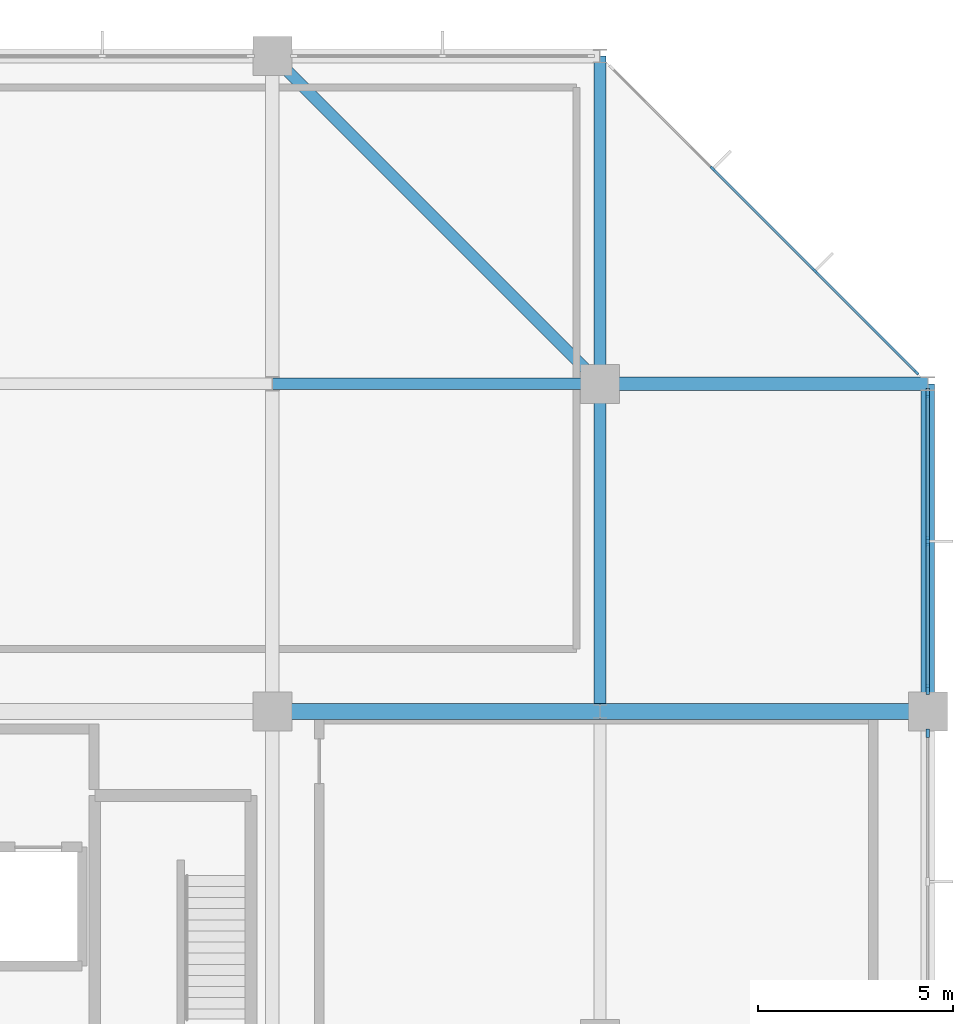
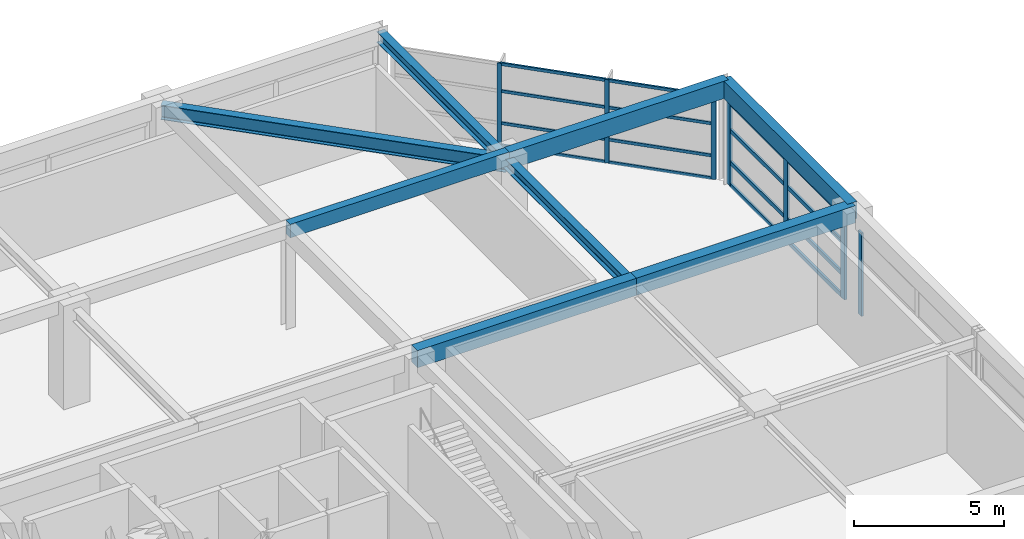
# One storey, part 23 of 32: 23 members, 8 beams, 3 elements without a shape of their own.
"""IFC4 building model written with IfcOpenShell, lengths in metres."""

import ifcopenshell
import ifcopenshell.guid

model = None  # the IFC model being written
_history = None  # IfcOwnerHistory: only IFC2X3 demands one
_inside = {}  # id of a spatial element -> (the spatial element, [elements in it])
_under = {}  # id of a project, library or spatial element -> (it, [spatial elements below it])
_declared = {}  # id of a project -> (the project, [libraries it declares])
_typed = {}  # id of a type object -> (the type object, [elements of that type])
_made_of = {}  # id of a material, layer set ... -> (it, [elements and type objects made of it])


def new_model(schema):
    """Start an empty IFC model of exactly this schema.

    Asked for "IFC4X3", IfcOpenShell would pick the latest addendum, in which some entities
    have other attributes; the version numbers below select the first issue.
    IFC2X3 requires an IfcOwnerHistory on every rooted entity: one is made here for all.
    """
    global model, _history
    if schema == "IFC4X3":
        model = ifcopenshell.file(schema_version=(4, 3, 0, 0))
    else:
        model = ifcopenshell.file(schema=schema)
    _inside.clear()
    _under.clear()
    _declared.clear()
    _typed.clear()
    _made_of.clear()
    _history = None
    if model.schema == "IFC2X3":
        org = make("IfcOrganization", Name="unknown")
        user = make(
            "IfcPersonAndOrganization",
            ThePerson=make("IfcPerson", FamilyName="unknown"),
            TheOrganization=org,
        )
        app = make(
            "IfcApplication",
            ApplicationDeveloper=org,
            Version="unknown",
            ApplicationFullName="unknown",
            ApplicationIdentifier="unknown",
        )
        _history = make(
            "IfcOwnerHistory",
            OwningUser=user,
            OwningApplication=app,
            ChangeAction="ADDED",
            CreationDate=0,
        )
    return model


def make(cls, **values):
    """One entity of the class cls with the attributes given. An attribute that is None is left unset."""
    return model.create_entity(
        cls, **{name: value for name, value in values.items() if value is not None}
    )


def rooted(cls, **values):
    """An entity with a GlobalId (a new one), such as an element, a storey or a relation."""
    return make(cls, GlobalId=ifcopenshell.guid.new(), OwnerHistory=_history, **values)


def si_unit(unit_type, name, prefix=None):
    """IfcSIUnit, for example si_unit("LENGTHUNIT", "METRE", prefix="MILLI")."""
    return make("IfcSIUnit", UnitType=unit_type, Prefix=prefix, Name=name)


def assignment(units):
    """IfcUnitAssignment: the units of a project."""
    return None if units is None else make("IfcUnitAssignment", Units=units)


def point(xyz):
    """IfcCartesianPoint."""
    return None if xyz is None else make("IfcCartesianPoint", Coordinates=xyz)


def direction(xyz):
    """IfcDirection."""
    return None if xyz is None else make("IfcDirection", DirectionRatios=xyz)


def frame(location, z_axis=None, x_axis=None):
    """IfcAxis2Placement3D, a coordinate frame: its origin and axes. An axis left out is left unset."""
    return make(
        "IfcAxis2Placement3D",
        Location=point(location),
        Axis=direction(z_axis),
        RefDirection=direction(x_axis),
    )


def frame_2d(location, x_axis=None):
    """IfcAxis2Placement2D, a coordinate frame in the plane: its origin and x axis."""
    return make(
        "IfcAxis2Placement2D", Location=point(location), RefDirection=direction(x_axis)
    )


def origin():
    """The frame at (0, 0, 0) with its axes left unset."""
    return frame((0.0, 0.0, 0.0))


def origin_2d():
    """The frame at (0, 0) in the plane with its x axis left unset."""
    return frame_2d((0.0, 0.0))


def place(relative_to, where):
    """IfcLocalPlacement: puts the frame where relative to a parent placement (None: the world)."""
    return make(
        "IfcLocalPlacement", PlacementRelTo=relative_to, RelativePlacement=where
    )


def context(
    kind, dimensions, precision=None, world=None, true_north=None, identifier=None
):
    """IfcGeometricRepresentationContext, for example the 3D "Model" context."""
    return make(
        "IfcGeometricRepresentationContext",
        ContextIdentifier=identifier,
        ContextType=kind,
        CoordinateSpaceDimension=dimensions,
        Precision=precision,
        WorldCoordinateSystem=world,
        TrueNorth=true_north,
    )


def subcontext(parent, identifier, kind, view, scale=None):
    """IfcGeometricRepresentationSubContext, for example "Body" below "Model"."""
    return make(
        "IfcGeometricRepresentationSubContext",
        ContextIdentifier=identifier,
        ContextType=kind,
        ParentContext=parent,
        TargetScale=scale,
        TargetView=view,
    )


def project(units=None, contexts=None):
    """IfcProject with its units and contexts."""
    return rooted(
        "IfcProject",
        Name="project",
        RepresentationContexts=contexts,
        UnitsInContext=assignment(units),
    )


def spatial(cls, under=None, at=None, **own):
    """A site, building, storey or space (cls), placed at a placement, below another one or the project."""
    s = rooted(cls, ObjectPlacement=at, **own)
    if under is not None:
        _under.setdefault(under.id(), (under, []))[1].append(s)
    return s


def profile(cls, at=None, kind="AREA", **sizes):
    """A parametric profile (cls). Its sizes go by their IFC names, for example OverallWidth=200.0."""
    return make(cls, ProfileType=kind, Position=at, **sizes)


def rectangle(**sizes):
    """IfcRectangleProfileDef."""
    return profile("IfcRectangleProfileDef", **sizes)


def i_section(**sizes):
    """IfcIShapeProfileDef."""
    return profile("IfcIShapeProfileDef", **sizes)


def extrude(swept, where, along, depth):
    """IfcExtrudedAreaSolid: the profile swept, set in the frame where, extruded along a direction by depth."""
    return make(
        "IfcExtrudedAreaSolid",
        SweptArea=swept,
        Position=where,
        ExtrudedDirection=direction(along),
        Depth=depth,
    )


def shape(context_of_items, identifier, shape_type, items):
    """IfcShapeRepresentation: the items that make up one representation, for example the "Body"."""
    return make(
        "IfcShapeRepresentation",
        ContextOfItems=context_of_items,
        RepresentationIdentifier=identifier,
        RepresentationType=shape_type,
        Items=items,
    )


def material(Name=None, Category=None):
    """IfcMaterial."""
    return make("IfcMaterial", Name=Name, Category=Category)


def material_profile(
    of_material, cross_section, Name=None, Category=None, Priority=None
):
    """IfcMaterialProfile: a cross section and its material."""
    return make(
        "IfcMaterialProfile",
        Name=Name,
        Material=of_material,
        Profile=cross_section,
        Priority=Priority,
        Category=Category,
    )


def profile_set(profiles, Name=None, composite=None):
    """IfcMaterialProfileSet."""
    return make(
        "IfcMaterialProfileSet",
        Name=Name,
        MaterialProfiles=profiles,
        CompositeProfile=composite,
    )


def made_of(thing, what):
    """Note that an element or type object is made of a material, layer set ...; save() writes the relation."""
    if what is not None:
        _made_of.setdefault(what.id(), (what, []))[1].append(thing)
    return thing


def type_object(cls, material=None, **own):
    """A type object (cls), such as IfcWallType, which elements share."""
    return made_of(rooted(cls, **own), material)


def element(
    cls,
    number,
    at=None,
    inside=None,
    cuts=None,
    type_object=None,
    material=None,
    context=None,
    identifier="Body",
    shape_type=None,
    held_by="IfcProductDefinitionShape",
    body=None,
    shapes=None,
    **own,
):
    """One element of the class cls, such as IfcWall. Its Tag is "e" and its number.

    at: its placement. inside: the storey or other place that contains it. cuts: it is an
    opening in that element (IfcRelVoidsElement). A single representation is given by context,
    identifier, shape_type and body (its items); several are given by shapes. held_by: the class
    of the entity that holds the representations. save() writes the other relations.
    """
    e = rooted(cls, Tag="e%d" % number, ObjectPlacement=at, **own)
    if body is not None:
        shapes = [shape(context, identifier, shape_type, body)]
    if shapes is not None:
        e.Representation = make(held_by, Representations=shapes)
    if inside is not None:
        _inside.setdefault(inside.id(), (inside, []))[1].append(e)
    if cuts is not None:
        rooted(
            "IfcRelVoidsElement", RelatingBuildingElement=cuts, RelatedOpeningElement=e
        )
    if type_object is not None:
        _typed.setdefault(type_object.id(), (type_object, []))[1].append(e)
    return made_of(e, material)


def aggregate(whole, parts):
    """IfcRelAggregates: a whole, such as a stair, and the parts it consists of."""
    return rooted("IfcRelAggregates", RelatingObject=whole, RelatedObjects=parts)


def save(model, path):
    """Write the relations noted so far, then the file.

    IfcRelAggregates (storeys below a building ...), IfcRelContainedInSpatialStructure (elements
    in a storey), IfcRelDefinesByType, IfcRelAssociatesMaterial and IfcRelDeclares: one each for
    every whole, place, type object, material and project.
    """
    for whole, parts in _under.values():
        aggregate(whole, parts)
    for where, things in _inside.values():
        rooted(
            "IfcRelContainedInSpatialStructure",
            RelatedElements=things,
            RelatingStructure=where,
        )
    for kind, things in _typed.values():
        rooted("IfcRelDefinesByType", RelatedObjects=things, RelatingType=kind)
    for what, things in _made_of.values():
        rooted("IfcRelAssociatesMaterial", RelatedObjects=things, RelatingMaterial=what)
    for by, libraries in _declared.values():
        rooted("IfcRelDeclares", RelatingContext=by, RelatedDefinitions=libraries)
    model.write(path)


model = new_model("IFC4")

# Units and contexts
model_context = context("Model", 3, precision=1e-05, world=origin(), true_north=direction((0.0, 1.0)))
body_context = subcontext(model_context, "Body", "Model", "MODEL_VIEW")
ifc_project = project(units=[si_unit("LENGTHUNIT", "METRE"), si_unit("AREAUNIT", "SQUARE_METRE"), si_unit("VOLUMEUNIT", "CUBIC_METRE"), si_unit("PLANEANGLEUNIT", "RADIAN"), si_unit("MASSUNIT", "GRAM", prefix="KILO")], contexts=[model_context])

# Site, building, storey
site_placement = place(None, origin())
site = spatial("IfcSite", under=ifc_project, at=site_placement, CompositionType="ELEMENT")
building_placement = place(site_placement, origin())
building = spatial("IfcBuilding", under=site, at=building_placement, Name="Xuanlan Plaza Opera House", CompositionType="ELEMENT")
storey_placement = place(building_placement, frame((0.0, 0.0, 40.5)))
storey = spatial("IfcBuildingStorey", under=building, at=storey_placement, Name="L09", CompositionType="ELEMENT", Elevation=40.5)

# Curtain wall, members
ifc_material_1 = material(Name="Anodised Aluminium 6063-T6 and Low-E Glass", Category="aluminium")
curtain_wall_type_1 = type_object("IfcCurtainWallType", Name="ENV-CW-CW-01", PredefinedType="USERDEFINED", material=ifc_material_1)
curtain_wall_1_placement = place(storey_placement, origin())
curtain_wall_1 = element("IfcCurtainWall", 1, at=curtain_wall_1_placement, inside=storey, type_object=curtain_wall_type_1, Name="Unitised Curtain Wall L09-010", ObjectType="UNITISED CURTAIN WALL", PredefinedType="USERDEFINED")
ifc_material_2 = material(Name="Anodised Aluminium 6063-T6", Category="aluminium")
ifc_material_profile_1 = material_profile(ifc_material_2, rectangle(XDim=0.06494140625, YDim=0.159912109375, at=origin_2d()), Name="ALU-M 65x160")
ifc_profile_set_1 = profile_set([ifc_material_profile_1], Name="Anodised Aluminium 6063-T6")
member_type_1 = type_object("IfcMemberType", Name="ENV-CWM-01", PredefinedType="MULLION", material=ifc_profile_set_1)
member_1_placement = place(storey_placement, frame((167.703125, 75.89697265625, 0.0), z_axis=(0.0, 0.0, 1.0), x_axis=(-0.707106781187, -0.707106781187, 0.0)))
member_1 = element("IfcMember", 2, at=member_1_placement, type_object=member_type_1, Name="CW-01 mullion 1", PredefinedType="MULLION", context=body_context, shape_type="SweptSolid", body=[
    extrude(rectangle(XDim=0.06494140625, YDim=0.159912109375, at=origin_2d()), origin(), (0.0, 0.0, 1.0), 3.3798828125),
])
member_2_placement = place(storey_placement, frame((165.108642578125, 78.491455078125, 0.0), z_axis=(0.0, 0.0, 1.0), x_axis=(-0.707106781187, -0.707106781187, 0.0)))
member_2 = element("IfcMember", 3, at=member_2_placement, type_object=member_type_1, Name="CW-01 mullion 2", PredefinedType="MULLION", context=body_context, shape_type="SweptSolid", body=[
    extrude(rectangle(XDim=0.06494140625, YDim=0.159912109375, at=origin_2d()), origin(), (0.0, 0.0, 1.0), 3.3798828125),
])
member_3_placement = place(storey_placement, frame((162.491455078125, 81.108642578125, 0.0), z_axis=(0.0, 0.0, 1.0), x_axis=(-0.707106781187, -0.707106781187, 0.0)))
member_3 = element("IfcMember", 4, at=member_3_placement, type_object=member_type_1, Name="CW-01 mullion 3", PredefinedType="MULLION", context=body_context, shape_type="SweptSolid", body=[
    extrude(rectangle(XDim=0.06494140625, YDim=0.159912109375, at=origin_2d()), origin(), (0.0, 0.0, 1.0), 3.3798828125),
])

# Curtain wall, member
curtain_wall_type_2 = type_object("IfcCurtainWallType", Name="ENV-CW-CW-03", PredefinedType="USERDEFINED", material=ifc_material_1)
curtain_wall_2_placement = place(storey_placement, origin())
curtain_wall_2 = element("IfcCurtainWall", 5, at=curtain_wall_2_placement, inside=storey, type_object=curtain_wall_type_2, Name="Unitised Curtain Wall L09-008", ObjectType="UNITISED CURTAIN WALL", PredefinedType="USERDEFINED")
ifc_material_profile_2 = material_profile(ifc_material_2, rectangle(XDim=0.080078125, YDim=0.219970703125, at=origin_2d()), Name="ALU-M 80x220")
ifc_profile_set_2 = profile_set([ifc_material_profile_2], Name="Anodised Aluminium 6063-T6")
member_type_2 = type_object("IfcMemberType", Name="ENV-CWM-04", PredefinedType="MULLION", material=ifc_profile_set_2)
member_4_placement = place(storey_placement, frame((168.0, 66.639892578125, 0.0), z_axis=(0.0, 0.0, 1.0), x_axis=(-1.0, 0.0, 0.0)))
member_4 = element("IfcMember", 6, at=member_4_placement, type_object=member_type_2, Name="CW-03 mullion 3", PredefinedType="MULLION", context=body_context, shape_type="SweptSolid", body=[
    extrude(rectangle(XDim=0.080078125, YDim=0.219970703125, at=origin_2d()), origin(), (0.0, 0.0, 1.0), 3.3798828125),
])
aggregate(curtain_wall_2, [member_4])

# Curtain wall, members
curtain_wall_type_3 = type_object("IfcCurtainWallType", Name="ENV-CW-CW-04", PredefinedType="USERDEFINED", material=ifc_material_1)
curtain_wall_3_placement = place(storey_placement, origin())
curtain_wall_3 = element("IfcCurtainWall", 7, at=curtain_wall_3_placement, inside=storey, type_object=curtain_wall_type_3, Name="Unitised Curtain Wall L09-009", ObjectType="UNITISED CURTAIN WALL", PredefinedType="USERDEFINED")
ifc_material_profile_3 = material_profile(ifc_material_2, rectangle(XDim=0.090087890625, YDim=0.25, at=origin_2d()), Name="ALU-M 90x250")
ifc_profile_set_3 = profile_set([ifc_material_profile_3], Name="Anodised Aluminium 6063-T6")
member_type_3 = type_object("IfcMemberType", Name="ENV-CWM-05", PredefinedType="MULLION", material=ifc_profile_set_3)
member_5_placement = place(storey_placement, frame((168.0, 67.764892578125, 0.0), z_axis=(0.0, 0.0, 1.0), x_axis=(-1.0, 0.0, 0.0)))
member_5 = element("IfcMember", 8, at=member_5_placement, type_object=member_type_3, Name="CW-04 mullion 1", PredefinedType="MULLION", context=body_context, shape_type="SweptSolid", body=[
    extrude(rectangle(XDim=0.090087890625, YDim=0.25, at=origin_2d()), origin(), (0.0, 0.0, 1.0), 3.3798828125),
])
member_6_placement = place(storey_placement, frame((168.0, 71.5625, 0.0), z_axis=(0.0, 0.0, 1.0), x_axis=(-1.0, 0.0, 0.0)))
member_6 = element("IfcMember", 9, at=member_6_placement, type_object=member_type_3, Name="CW-04 mullion 2", PredefinedType="MULLION", context=body_context, shape_type="SweptSolid", body=[
    extrude(rectangle(XDim=0.090087890625, YDim=0.25, at=origin_2d()), origin(), (0.0, 0.0, 1.0), 3.3798828125),
])
member_7_placement = place(storey_placement, frame((168.0, 75.360107421875, 0.0), z_axis=(0.0, 0.0, 1.0), x_axis=(-1.0, 0.0, 0.0)))
member_7 = element("IfcMember", 10, at=member_7_placement, type_object=member_type_3, Name="CW-04 mullion 3", PredefinedType="MULLION", context=body_context, shape_type="SweptSolid", body=[
    extrude(rectangle(XDim=0.090087890625, YDim=0.25, at=origin_2d()), origin(), (0.0, 0.0, 1.0), 3.3798828125),
])

# Member
ifc_material_profile_4 = material_profile(ifc_material_2, rectangle(XDim=0.06494140625, YDim=0.1201171875, at=origin_2d()), Name="ALU-T 65x120")
ifc_profile_set_4 = profile_set([ifc_material_profile_4], Name="Anodised Aluminium 6063-T6")
member_type_4 = type_object("IfcMemberType", Name="ENV-CWT-01", PredefinedType="USERDEFINED", material=ifc_profile_set_4)
member_8_placement = place(storey_placement, frame((167.679931640625, 75.919921875, 0.032470703125), z_axis=(-0.707106781187, 0.707106781187, 0.0), x_axis=(-0.707106781187, -0.707106781187, 0.0)))
member_8 = element("IfcMember", 11, at=member_8_placement, type_object=member_type_4, Name="CW-01 transom 1.1", ObjectType="TRANSOM", PredefinedType="USERDEFINED", context=body_context, shape_type="SweptSolid", body=[
    extrude(rectangle(XDim=0.06494140625, YDim=0.1201171875, at=origin_2d()), origin(), (0.0, 0.0, 1.0), 3.60400390625),
])

member_9_placement = place(storey_placement, frame((167.679931640625, 75.919921875, 0.949951171875), z_axis=(-0.707106781187, 0.707106781187, 0.0), x_axis=(-0.707106781187, -0.707106781187, 0.0)))
member_9 = element("IfcMember", 12, at=member_9_placement, type_object=member_type_4, Name="CW-01 transom 1.2", ObjectType="TRANSOM", PredefinedType="USERDEFINED", context=body_context, shape_type="SweptSolid", body=[
    extrude(rectangle(XDim=0.06494140625, YDim=0.1201171875, at=origin_2d()), origin(), (0.0, 0.0, 1.0), 3.60400390625),
])

member_10_placement = place(storey_placement, frame((167.679931640625, 75.919921875, 2.25), z_axis=(-0.707106781187, 0.707106781187, 0.0), x_axis=(-0.707106781187, -0.707106781187, 0.0)))
member_10 = element("IfcMember", 13, at=member_10_placement, type_object=member_type_4, Name="CW-01 transom 1.3", ObjectType="TRANSOM", PredefinedType="USERDEFINED", context=body_context, shape_type="SweptSolid", body=[
    extrude(rectangle(XDim=0.06494140625, YDim=0.1201171875, at=origin_2d()), origin(), (0.0, 0.0, 1.0), 3.60400390625),
])

member_11_placement = place(storey_placement, frame((167.679931640625, 75.919921875, 3.347412109375), z_axis=(-0.707106781187, 0.707106781187, 0.0), x_axis=(-0.707106781187, -0.707106781187, 0.0)))
member_11 = element("IfcMember", 14, at=member_11_placement, type_object=member_type_4, Name="CW-01 transom 1.4", ObjectType="TRANSOM", PredefinedType="USERDEFINED", context=body_context, shape_type="SweptSolid", body=[
    extrude(rectangle(XDim=0.06494140625, YDim=0.1201171875, at=origin_2d()), origin(), (0.0, 0.0, 1.0), 3.60400390625),
])

member_12_placement = place(storey_placement, frame((165.085693359375, 78.514404296875, 0.032470703125), z_axis=(-0.707106781187, 0.707106781187, 0.0), x_axis=(-0.707106781187, -0.707106781187, 0.0)))
member_12 = element("IfcMember", 15, at=member_12_placement, type_object=member_type_4, Name="CW-01 transom 2.1", ObjectType="TRANSOM", PredefinedType="USERDEFINED", context=body_context, shape_type="SweptSolid", body=[
    extrude(rectangle(XDim=0.06494140625, YDim=0.1201171875, at=origin_2d()), origin(), (0.0, 0.0, 1.0), 3.63623046875),
])

member_13_placement = place(storey_placement, frame((165.085693359375, 78.514404296875, 0.949951171875), z_axis=(-0.707106781187, 0.707106781187, 0.0), x_axis=(-0.707106781187, -0.707106781187, 0.0)))
member_13 = element("IfcMember", 16, at=member_13_placement, type_object=member_type_4, Name="CW-01 transom 2.2", ObjectType="TRANSOM", PredefinedType="USERDEFINED", context=body_context, shape_type="SweptSolid", body=[
    extrude(rectangle(XDim=0.06494140625, YDim=0.1201171875, at=origin_2d()), origin(), (0.0, 0.0, 1.0), 3.63623046875),
])

member_14_placement = place(storey_placement, frame((165.085693359375, 78.514404296875, 2.25), z_axis=(-0.707106781187, 0.707106781187, 0.0), x_axis=(-0.707106781187, -0.707106781187, 0.0)))
member_14 = element("IfcMember", 17, at=member_14_placement, type_object=member_type_4, Name="CW-01 transom 2.3", ObjectType="TRANSOM", PredefinedType="USERDEFINED", context=body_context, shape_type="SweptSolid", body=[
    extrude(rectangle(XDim=0.06494140625, YDim=0.1201171875, at=origin_2d()), origin(), (0.0, 0.0, 1.0), 3.63623046875),
])

member_15_placement = place(storey_placement, frame((165.085693359375, 78.514404296875, 3.347412109375), z_axis=(-0.707106781187, 0.707106781187, 0.0), x_axis=(-0.707106781187, -0.707106781187, 0.0)))
member_15 = element("IfcMember", 18, at=member_15_placement, type_object=member_type_4, Name="CW-01 transom 2.4", ObjectType="TRANSOM", PredefinedType="USERDEFINED", context=body_context, shape_type="SweptSolid", body=[
    extrude(rectangle(XDim=0.06494140625, YDim=0.1201171875, at=origin_2d()), origin(), (0.0, 0.0, 1.0), 3.63623046875),
])

aggregate(curtain_wall_1, [member_1, member_2, member_3, member_8, member_9, member_10, member_11, member_12, member_13, member_14, member_15])

ifc_material_profile_5 = material_profile(ifc_material_2, rectangle(XDim=0.080078125, YDim=0.1650390625, at=origin_2d()), Name="ALU-T 80x165")
ifc_profile_set_5 = profile_set([ifc_material_profile_5], Name="Anodised Aluminium 6063-T6")
member_type_5 = type_object("IfcMemberType", Name="ENV-CWT-04", PredefinedType="USERDEFINED", material=ifc_profile_set_5)
member_16_placement = place(storey_placement, frame((168.0, 67.81005859375, 0.0400390625), z_axis=(0.0, 1.0, 0.0), x_axis=(-1.0, 0.0, 0.0)))
member_16 = element("IfcMember", 19, at=member_16_placement, type_object=member_type_5, Name="CW-04 transom 1.1", ObjectType="TRANSOM", PredefinedType="USERDEFINED", context=body_context, shape_type="SweptSolid", body=[
    extrude(rectangle(XDim=0.080078125, YDim=0.1650390625, at=origin_2d()), origin(), (0.0, 0.0, 1.0), 3.70751953125),
])

member_17_placement = place(storey_placement, frame((168.0, 67.81005859375, 0.949951171875), z_axis=(0.0, 1.0, 0.0), x_axis=(-1.0, 0.0, 0.0)))
member_17 = element("IfcMember", 20, at=member_17_placement, type_object=member_type_5, Name="CW-04 transom 1.2", ObjectType="TRANSOM", PredefinedType="USERDEFINED", context=body_context, shape_type="SweptSolid", body=[
    extrude(rectangle(XDim=0.080078125, YDim=0.1650390625, at=origin_2d()), origin(), (0.0, 0.0, 1.0), 3.70751953125),
])

member_18_placement = place(storey_placement, frame((168.0, 67.81005859375, 2.25), z_axis=(0.0, 1.0, 0.0), x_axis=(-1.0, 0.0, 0.0)))
member_18 = element("IfcMember", 21, at=member_18_placement, type_object=member_type_5, Name="CW-04 transom 1.3", ObjectType="TRANSOM", PredefinedType="USERDEFINED", context=body_context, shape_type="SweptSolid", body=[
    extrude(rectangle(XDim=0.080078125, YDim=0.1650390625, at=origin_2d()), origin(), (0.0, 0.0, 1.0), 3.70751953125),
])

member_19_placement = place(storey_placement, frame((168.0, 67.81005859375, 3.340087890625), z_axis=(0.0, 1.0, 0.0), x_axis=(-1.0, 0.0, 0.0)))
member_19 = element("IfcMember", 22, at=member_19_placement, type_object=member_type_5, Name="CW-04 transom 1.4", ObjectType="TRANSOM", PredefinedType="USERDEFINED", context=body_context, shape_type="SweptSolid", body=[
    extrude(rectangle(XDim=0.080078125, YDim=0.1650390625, at=origin_2d()), origin(), (0.0, 0.0, 1.0), 3.70751953125),
])

member_20_placement = place(storey_placement, frame((168.0, 71.607421875, 0.0400390625), z_axis=(0.0, 1.0, 0.0), x_axis=(-1.0, 0.0, 0.0)))
member_20 = element("IfcMember", 23, at=member_20_placement, type_object=member_type_5, Name="CW-04 transom 2.1", ObjectType="TRANSOM", PredefinedType="USERDEFINED", context=body_context, shape_type="SweptSolid", body=[
    extrude(rectangle(XDim=0.080078125, YDim=0.1650390625, at=origin_2d()), origin(), (0.0, 0.0, 1.0), 3.70751953125),
])

member_21_placement = place(storey_placement, frame((168.0, 71.607421875, 0.949951171875), z_axis=(0.0, 1.0, 0.0), x_axis=(-1.0, 0.0, 0.0)))
member_21 = element("IfcMember", 24, at=member_21_placement, type_object=member_type_5, Name="CW-04 transom 2.2", ObjectType="TRANSOM", PredefinedType="USERDEFINED", context=body_context, shape_type="SweptSolid", body=[
    extrude(rectangle(XDim=0.080078125, YDim=0.1650390625, at=origin_2d()), origin(), (0.0, 0.0, 1.0), 3.70751953125),
])

member_22_placement = place(storey_placement, frame((168.0, 71.607421875, 2.25), z_axis=(0.0, 1.0, 0.0), x_axis=(-1.0, 0.0, 0.0)))
member_22 = element("IfcMember", 25, at=member_22_placement, type_object=member_type_5, Name="CW-04 transom 2.3", ObjectType="TRANSOM", PredefinedType="USERDEFINED", context=body_context, shape_type="SweptSolid", body=[
    extrude(rectangle(XDim=0.080078125, YDim=0.1650390625, at=origin_2d()), origin(), (0.0, 0.0, 1.0), 3.70751953125),
])

member_23_placement = place(storey_placement, frame((168.0, 71.607421875, 3.340087890625), z_axis=(0.0, 1.0, 0.0), x_axis=(-1.0, 0.0, 0.0)))
member_23 = element("IfcMember", 26, at=member_23_placement, type_object=member_type_5, Name="CW-04 transom 2.4", ObjectType="TRANSOM", PredefinedType="USERDEFINED", context=body_context, shape_type="SweptSolid", body=[
    extrude(rectangle(XDim=0.080078125, YDim=0.1650390625, at=origin_2d()), origin(), (0.0, 0.0, 1.0), 3.70751953125),
])

aggregate(curtain_wall_3, [member_5, member_6, member_7, member_16, member_17, member_18, member_19, member_20, member_21, member_22, member_23])

# Beams
ifc_material_3 = material(Name="Concrete C40", Category="concrete")
ifc_material_profile_6 = material_profile(ifc_material_3, rectangle(XDim=0.39990234375, YDim=0.699951171875, at=origin_2d()), Name="RC-BM 400x700")
ifc_profile_set_6 = profile_set([ifc_material_profile_6], Name="Concrete C40")
beam_type_1 = type_object("IfcBeamType", Name="STR-BM-B-07", PredefinedType="BEAM", material=ifc_profile_set_6)
beam_1_placement = place(storey_placement, frame((151.199951171875, 67.199951171875, 3.85009765625), z_axis=(1.0, 0.0, 0.0), x_axis=(0.0, 1.0, 0.0)))
element("IfcBeam", 27, at=beam_1_placement, inside=storey, type_object=beam_type_1, Name="Grid Beam X L09 19-20/I", PredefinedType="BEAM", context=body_context, shape_type="SweptSolid", body=[
    extrude(rectangle(XDim=0.39990234375, YDim=0.699951171875, at=origin_2d()), origin(), (0.0, 0.0, 1.0), 8.400146484375),
])
beam_2_placement = place(storey_placement, frame((159.60009765625, 67.199951171875, 3.85009765625), z_axis=(1.0, 0.0, 0.0), x_axis=(0.0, 1.0, 0.0)))
element("IfcBeam", 28, at=beam_2_placement, inside=storey, type_object=beam_type_1, Name="Grid Beam X L09 20-21/I", PredefinedType="BEAM", context=body_context, shape_type="SweptSolid", body=[
    extrude(rectangle(XDim=0.39990234375, YDim=0.699951171875, at=origin_2d()), origin(), (0.0, 0.0, 1.0), 8.39990234375),
])
ifc_material_profile_7 = material_profile(ifc_material_3, rectangle(XDim=0.300048828125, YDim=0.550048828125, at=origin_2d()), Name="RC-BM 300x550")
ifc_profile_set_7 = profile_set([ifc_material_profile_7], Name="Concrete C40")
beam_type_2 = type_object("IfcBeamType", Name="STR-BM-B-09", PredefinedType="BEAM", material=ifc_profile_set_7)
beam_3_placement = place(storey_placement, frame((151.199951171875, 75.60009765625, 3.925048828125), z_axis=(1.0, 0.0, 0.0), x_axis=(0.0, 1.0, 0.0)))
element("IfcBeam", 29, at=beam_3_placement, inside=storey, type_object=beam_type_2, Name="Grid Beam X L09 19-20/J", PredefinedType="BEAM", context=body_context, shape_type="SweptSolid", body=[
    extrude(rectangle(XDim=0.300048828125, YDim=0.550048828125, at=origin_2d()), origin(), (0.0, 0.0, 1.0), 8.400146484375),
])
ifc_material_4 = material(Name="Steel Q355B", Category="steel")
ifc_material_profile_8 = material_profile(ifc_material_4, i_section(OverallWidth=0.300048828125, OverallDepth=0.43994140625, WebThickness=0.010986328125, FlangeThickness=0.01806640625, FilletRadius=0.02001953125, at=origin_2d()), Name="HM 440x300x11x18")
ifc_profile_set_8 = profile_set([ifc_material_profile_8], Name="Steel Q355B")
beam_type_3 = type_object("IfcBeamType", Name="STR-BM-SB-08", PredefinedType="BEAM", material=ifc_profile_set_8)
beam_4_placement = place(storey_placement, frame((159.60009765625, 67.199951171875, 3.735107421875), z_axis=(0.0, 1.0, 0.0), x_axis=(-1.0, 0.0, 0.0)))
element("IfcBeam", 30, at=beam_4_placement, inside=storey, type_object=beam_type_3, Name="Grid Beam Y L09 20/I-J", PredefinedType="BEAM", context=body_context, shape_type="SweptSolid", body=[
    extrude(i_section(OverallWidth=0.300048828125, OverallDepth=0.43994140625, WebThickness=0.010986328125, FlangeThickness=0.01806640625, FilletRadius=0.02001953125, at=origin_2d()), origin(), (0.0, 0.0, 1.0), 8.400146484375),
])
beam_5_placement = place(storey_placement, frame((159.60009765625, 75.60009765625, 3.735107421875), z_axis=(0.0, 1.0, 0.0), x_axis=(-1.0, 0.0, 0.0)))
element("IfcBeam", 31, at=beam_5_placement, inside=storey, type_object=beam_type_3, Name="Grid Beam Y L09 20/J-K", PredefinedType="BEAM", context=body_context, shape_type="SweptSolid", body=[
    extrude(i_section(OverallWidth=0.300048828125, OverallDepth=0.43994140625, WebThickness=0.010986328125, FlangeThickness=0.01806640625, FilletRadius=0.02001953125, at=origin_2d()), origin(), (0.0, 0.0, 1.0), 8.39990234375),
])
ifc_material_profile_9 = material_profile(ifc_material_3, rectangle(XDim=0.35009765625, YDim=0.699951171875, at=origin_2d()), Name="RC-SPD 350x700")
ifc_profile_set_9 = profile_set([ifc_material_profile_9], Name="Concrete C40")
beam_type_4 = type_object("IfcBeamType", Name="STR-BM-SP-02", PredefinedType="SPANDREL", material=ifc_profile_set_9)
beam_6_placement = place(storey_placement, frame((159.60009765625, 75.60009765625, 3.85009765625), z_axis=(1.0, 0.0, 0.0), x_axis=(0.0, 1.0, 0.0)))
element("IfcBeam", 32, at=beam_6_placement, inside=storey, type_object=beam_type_4, Name="Grid Beam X L09 20-21/J", PredefinedType="SPANDREL", context=body_context, shape_type="SweptSolid", body=[
    extrude(rectangle(XDim=0.35009765625, YDim=0.699951171875, at=origin_2d()), origin(), (0.0, 0.0, 1.0), 8.39990234375),
])
beam_7_placement = place(storey_placement, frame((168.0, 67.199951171875, 3.85009765625), z_axis=(0.0, 1.0, 0.0), x_axis=(-1.0, 0.0, 0.0)))
element("IfcBeam", 33, at=beam_7_placement, inside=storey, type_object=beam_type_4, Name="Grid Beam Y L09 21/I-J", PredefinedType="SPANDREL", context=body_context, shape_type="SweptSolid", body=[
    extrude(rectangle(XDim=0.35009765625, YDim=0.699951171875, at=origin_2d()), origin(), (0.0, 0.0, 1.0), 8.400146484375),
])
ifc_material_profile_10 = material_profile(ifc_material_4, i_section(OverallWidth=0.300048828125, OverallDepth=0.587890625, WebThickness=0.011962890625, FlangeThickness=0.02001953125, FilletRadius=0.02392578125, at=origin_2d()), Name="HM 588x300x12x20")
ifc_profile_set_10 = profile_set([ifc_material_profile_10], Name="Steel Q355B")
beam_type_5 = type_object("IfcBeamType", Name="STR-BM-SP-03", PredefinedType="SPANDREL", material=ifc_profile_set_10)
beam_8_placement = place(storey_placement, frame((151.199951171875, 84.0, 3.660888671875), z_axis=(0.707117056885, -0.707096505339, 0.0), x_axis=(0.707096505339, 0.707117056885, 0.0)))
element("IfcBeam", 34, at=beam_8_placement, inside=storey, type_object=beam_type_5, Name="Faceted Edge Spandrel L09 CH06", PredefinedType="SPANDREL", context=body_context, shape_type="SweptSolid", body=[
    extrude(i_section(OverallWidth=0.300048828125, OverallDepth=0.587890625, WebThickness=0.011962890625, FlangeThickness=0.02001953125, FilletRadius=0.02392578125, at=origin_2d()), origin(), (0.0, 0.0, 1.0), 11.87939453125),
])

save(model, "model.ifc")
